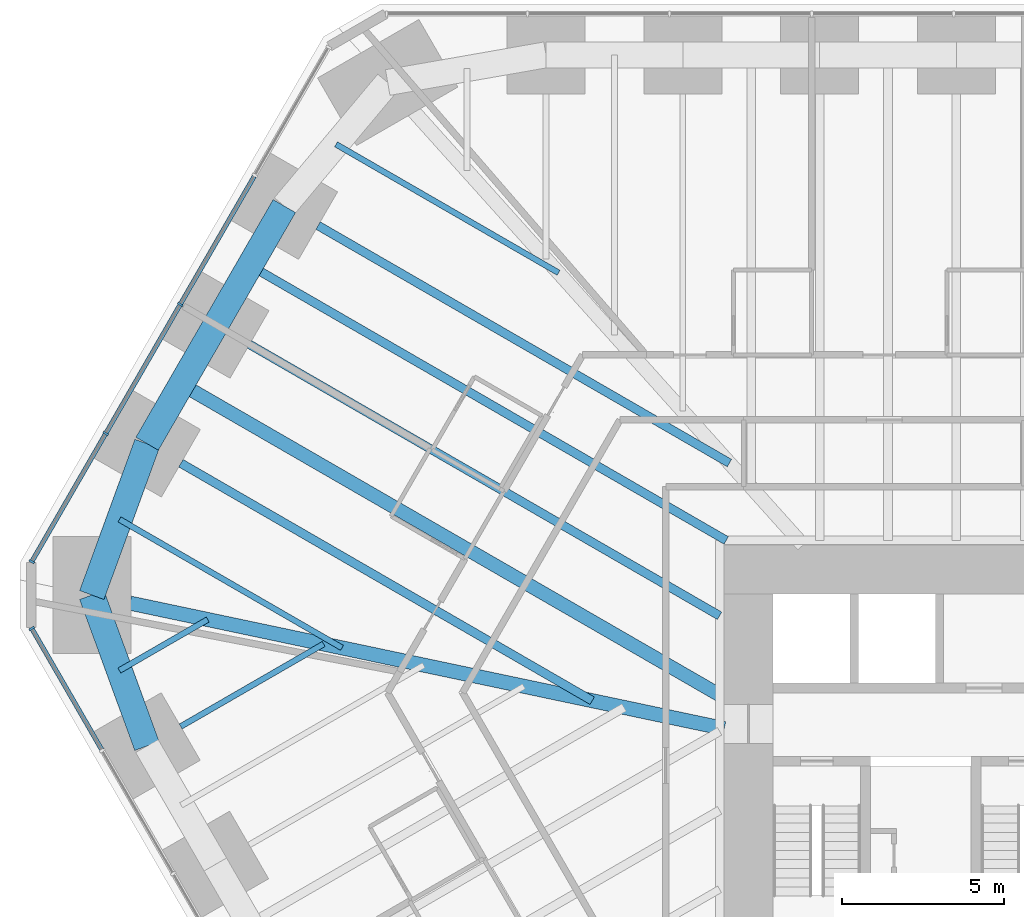
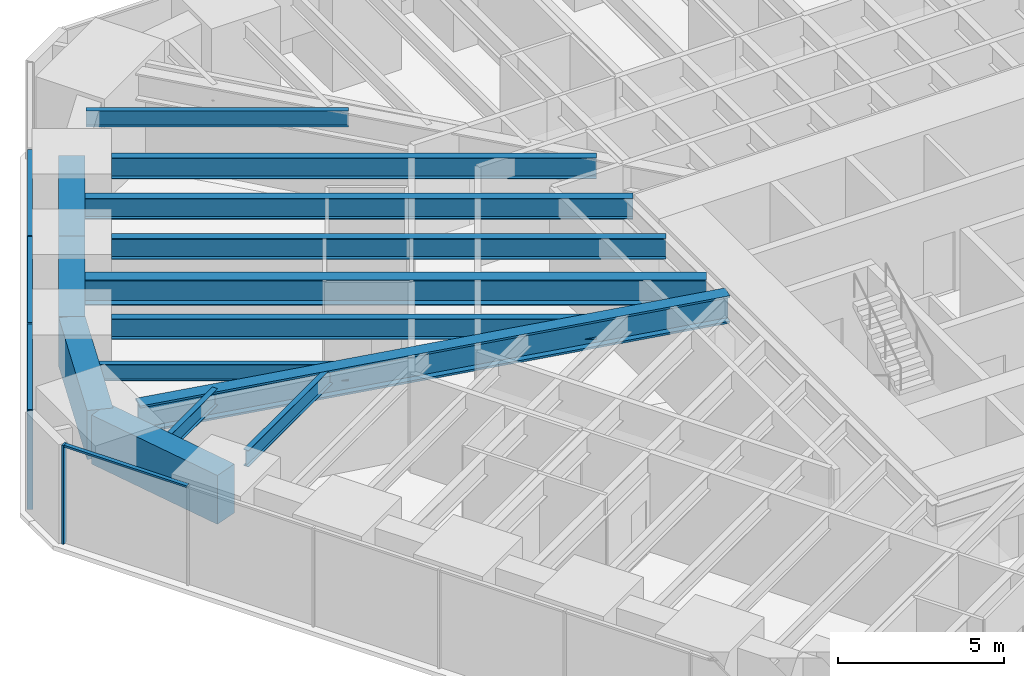
# One storey, part 7 of 17: 14 beams, 8 members, 2 elements without a shape of their own.
"""IFC4 building model written with IfcOpenShell, lengths in metres."""

from ifc_helpers import new_model, si_unit, direction, frame, origin, origin_2d, place, context, subcontext, project, spatial, rectangle, i_section, extrude, material, material_profile, profile_set, type_object, element, aggregate, save


model = new_model("IFC4")

# Units and contexts
model_context = context("Model", 3, precision=1e-05, world=origin(), true_north=direction((0.0, 1.0)))
body_context = subcontext(model_context, "Body", "Model", "MODEL_VIEW")
ifc_project = project(units=[si_unit("LENGTHUNIT", "METRE"), si_unit("AREAUNIT", "SQUARE_METRE"), si_unit("VOLUMEUNIT", "CUBIC_METRE"), si_unit("PLANEANGLEUNIT", "RADIAN"), si_unit("MASSUNIT", "GRAM", prefix="KILO")], contexts=[model_context])

# Site, building, storey
site_placement = place(None, origin())
site = spatial("IfcSite", under=ifc_project, at=site_placement, CompositionType="ELEMENT")
building_placement = place(site_placement, origin())
building = spatial("IfcBuilding", under=site, at=building_placement, Name="Sandreach Pilgrim Tower", CompositionType="ELEMENT")
storey_placement = place(building_placement, frame((0.0, 0.0, 49.60009765625)))
storey = spatial("IfcBuildingStorey", under=building, at=storey_placement, Name="L11", CompositionType="ELEMENT", Elevation=49.60009765625)

# Curtain wall, member
ifc_material_1 = material(Name="Aluminium framed curtain wall", Category="aluminium")
curtain_wall_type = type_object("IfcCurtainWallType", Name="Hostel tower curtain wall", PredefinedType="NOTDEFINED", material=ifc_material_1)
curtain_wall_1_placement = place(storey_placement, origin())
curtain_wall_1 = element("IfcCurtainWall", 1, at=curtain_wall_1_placement, inside=storey, type_object=curtain_wall_type, Name="CW-1 L11 SW", PredefinedType="NOTDEFINED")
ifc_material_2 = material(Name="Aluminium extrusion", Category="aluminium")
ifc_material_profile_1 = material_profile(ifc_material_2, rectangle(XDim=0.06494140625, YDim=0.179931640625, at=origin_2d()), Name="CW-1M 65X180")
ifc_profile_set_1 = profile_set([ifc_material_profile_1], Name="Aluminium extrusion")
member_type_1 = type_object("IfcMemberType", Name="CW-1 mullion", PredefinedType="MULLION", material=ifc_profile_set_1)
member_1_placement = place(storey_placement, frame((-30.56005859375, 5.033935546875, 0.0), z_axis=(0.0, 0.0, 1.0), x_axis=(-0.5, 0.866025403784, 0.0)))
member_1 = element("IfcMember", 2, at=member_1_placement, type_object=member_type_1, Name="CW-1 mullion 10", PredefinedType="MULLION", context=body_context, shape_type="SweptSolid", body=[
    extrude(rectangle(XDim=0.06494140625, YDim=0.179931640625, at=origin_2d()), origin(), (0.0, 0.0, 1.0), 3.639892578125),
])

# Curtain wall, members
curtain_wall_2_placement = place(storey_placement, origin())
curtain_wall_2 = element("IfcCurtainWall", 3, at=curtain_wall_2_placement, inside=storey, type_object=curtain_wall_type, Name="CW-1 L11 NW", PredefinedType="NOTDEFINED")
member_2_placement = place(storey_placement, frame((-30.56005859375, 7.09033203125, 0.0), z_axis=(0.0, 0.0, 1.0), x_axis=(0.5, 0.866025403784, 0.0)))
member_2 = element("IfcMember", 4, at=member_2_placement, type_object=member_type_1, Name="CW-1 mullion 1", PredefinedType="MULLION", context=body_context, shape_type="SweptSolid", body=[
    extrude(rectangle(XDim=0.06494140625, YDim=0.179931640625, at=origin_2d()), origin(), (0.0, 0.0, 1.0), 3.639892578125),
])
member_3_placement = place(storey_placement, frame((-28.283203125, 11.03369140625, 0.0), z_axis=(0.0, 0.0, 1.0), x_axis=(0.5, 0.866025403784, 0.0)))
member_3 = element("IfcMember", 5, at=member_3_placement, type_object=member_type_1, Name="CW-1 mullion 2", PredefinedType="MULLION", context=body_context, shape_type="SweptSolid", body=[
    extrude(rectangle(XDim=0.06494140625, YDim=0.179931640625, at=origin_2d()), origin(), (0.0, 0.0, 1.0), 3.639892578125),
])
member_4_placement = place(storey_placement, frame((-25.990234375, 15.00537109375, 0.0), z_axis=(0.0, 0.0, 1.0), x_axis=(0.5, 0.866025403784, 0.0)))
member_4 = element("IfcMember", 6, at=member_4_placement, type_object=member_type_1, Name="CW-1 mullion 3", PredefinedType="MULLION", context=body_context, shape_type="SweptSolid", body=[
    extrude(rectangle(XDim=0.06494140625, YDim=0.179931640625, at=origin_2d()), origin(), (0.0, 0.0, 1.0), 3.639892578125),
])

# Member
ifc_material_3 = material(Name="Aluminium extrusion", Category="aluminium")
ifc_material_profile_2 = material_profile(ifc_material_3, rectangle(XDim=0.139892578125, YDim=0.070068359375, at=origin_2d()), Name="CW-1T 140X70")
ifc_profile_set_2 = profile_set([ifc_material_profile_2], Name="Aluminium extrusion")
member_type_2 = type_object("IfcMemberType", Name="CW-1 transom", PredefinedType="USERDEFINED", material=ifc_profile_set_2)
member_5_placement = place(storey_placement, frame((-28.40673828125, 1.304443359375, 3.60498046875), z_axis=(-0.499991113271, 0.866030534479, 0.0), x_axis=(-0.866030534479, -0.499991113271, 0.0)))
member_5 = element("IfcMember", 7, at=member_5_placement, type_object=member_type_2, Name="CW-1 head transom 9", ObjectType="TRANSOM", PredefinedType="USERDEFINED", context=body_context, shape_type="SweptSolid", body=[
    extrude(rectangle(XDim=0.139892578125, YDim=0.070068359375, at=origin_2d()), origin(), (0.0, 0.0, 1.0), 4.27392578125),
])

aggregate(curtain_wall_1, [member_1, member_5])

member_6_placement = place(storey_placement, frame((-30.543701171875, 7.118408203125, 3.60498046875), z_axis=(0.499976706761, 0.866038851724, 0.0), x_axis=(-0.866038851724, 0.499976706761, 0.0)))
member_6 = element("IfcMember", 8, at=member_6_placement, type_object=member_type_2, Name="CW-1 head transom 1", ObjectType="TRANSOM", PredefinedType="USERDEFINED", context=body_context, shape_type="SweptSolid", body=[
    extrude(rectangle(XDim=0.139892578125, YDim=0.070068359375, at=origin_2d()), origin(), (0.0, 0.0, 1.0), 4.488525390625),
])

member_7_placement = place(storey_placement, frame((-28.266845703125, 11.06201171875, 3.60498046875), z_axis=(0.500001366228, 0.866024614991, 0.0), x_axis=(-0.866024614991, 0.500001366228, 0.0)))
member_7 = element("IfcMember", 9, at=member_7_placement, type_object=member_type_2, Name="CW-1 head transom 2", ObjectType="TRANSOM", PredefinedType="USERDEFINED", context=body_context, shape_type="SweptSolid", body=[
    extrude(rectangle(XDim=0.139892578125, YDim=0.070068359375, at=origin_2d()), origin(), (0.0, 0.0, 1.0), 4.52099609375),
])

member_8_placement = place(storey_placement, frame((-25.973876953125, 15.03369140625, 3.60498046875), z_axis=(0.500001366228, 0.866024614991, 0.0), x_axis=(-0.866024614991, 0.500001366228, 0.0)))
member_8 = element("IfcMember", 10, at=member_8_placement, type_object=member_type_2, Name="CW-1 head transom 3", ObjectType="TRANSOM", PredefinedType="USERDEFINED", context=body_context, shape_type="SweptSolid", body=[
    extrude(rectangle(XDim=0.139892578125, YDim=0.070068359375, at=origin_2d()), origin(), (0.0, 0.0, 1.0), 4.52099609375),
])

aggregate(curtain_wall_2, [member_2, member_3, member_4, member_6, member_7, member_8])

# Beams
ifc_material_4 = material(Name="Steel ASTM A992 Grade 50", Category="steel")
ifc_material_profile_3 = material_profile(ifc_material_4, i_section(OverallWidth=0.436767578125, OverallDepth=1.010986328125, WebThickness=0.040771484375, FlangeThickness=0.073974609375, at=origin_2d()), Name="W36X529")
ifc_profile_set_3 = profile_set([ifc_material_profile_3], Name="Steel ASTM A992 Grade 50")
beam_type_1 = type_object("IfcBeamType", Name="Corner girder W36X529", PredefinedType="BEAM", material=ifc_profile_set_3)
beam_1_placement = place(storey_placement, frame((-27.53857421875, 5.814208984375, 3.134521484375), z_axis=(0.978429884383, -0.206579189045, 0.0), x_axis=(0.206579189045, 0.978429884383, 0.0)))
element("IfcBeam", 11, at=beam_1_placement, inside=storey, type_object=beam_type_1, Name="BM L11 CG35", PredefinedType="BEAM", context=body_context, shape_type="SweptSolid", body=[
    extrude(i_section(OverallWidth=0.436767578125, OverallDepth=1.010986328125, WebThickness=0.040771484375, FlangeThickness=0.073974609375, at=origin_2d()), origin(), (0.0, 0.0, 1.0), 18.691650390625),
])
ifc_material_5 = material(Name="Steel ASTM A992 Grade 50", Category="steel")
ifc_material_profile_4 = material_profile(ifc_material_5, i_section(OverallWidth=0.1787109375, OverallDepth=0.60205078125, WebThickness=0.010986328125, FlangeThickness=0.014892578125, at=origin_2d()), Name="W24X62")
ifc_profile_set_4 = profile_set([ifc_material_profile_4], Name="Steel ASTM A992 Grade 50")
beam_type_2 = type_object("IfcBeamType", Name="Floor beam W24X62", PredefinedType="BEAM", material=ifc_profile_set_4)
beam_2_placement = place(storey_placement, frame((-25.97705078125, 2.016357421875, 3.3388671875), z_axis=(0.866027897259, 0.49999568115, 0.0), x_axis=(-0.49999568115, 0.866027897259, 0.0)))
element("IfcBeam", 12, at=beam_2_placement, inside=storey, type_object=beam_type_2, Name="BM L11 F34", PredefinedType="BEAM", context=body_context, shape_type="SweptSolid", body=[
    extrude(i_section(OverallWidth=0.1787109375, OverallDepth=0.60205078125, WebThickness=0.010986328125, FlangeThickness=0.014892578125, at=origin_2d()), origin(), (0.0, 0.0, 1.0), 5.0791015625),
])
beam_3_placement = place(storey_placement, frame((-27.864501953125, 3.7392578125, 3.3388671875), z_axis=(0.866023718453, 0.500002919068, 0.0), x_axis=(-0.500002919068, 0.866023718453, 0.0)))
element("IfcBeam", 13, at=beam_3_placement, inside=storey, type_object=beam_type_2, Name="BM L11 FM34", PredefinedType="BEAM", context=body_context, shape_type="SweptSolid", body=[
    extrude(i_section(OverallWidth=0.1787109375, OverallDepth=0.60205078125, WebThickness=0.010986328125, FlangeThickness=0.014892578125, at=origin_2d()), origin(), (0.0, 0.0, 1.0), 3.1396484375),
])
for number, where, z_axis, x_axis, name in (
    (14, (-27.861328125, 8.390380859375, 3.3388671875), (0.866028778003, -0.499994155636, 0.0), (0.499994155636, 0.866028778003, 0.0), "BM L11 FM35"),
    (15, (-21.197021484375, 19.933349609375, 3.3388671875), (0.866028778003, -0.499994155636, 0.0), (0.499994155636, 0.866028778003, 0.0), "BM L11 FM38"),
):
    element("IfcBeam", number, at=place(storey_placement, frame(where, z_axis=z_axis, x_axis=x_axis)), inside=storey, type_object=beam_type_2, Name=name, PredefinedType="BEAM", context=body_context, shape_type="SweptSolid", body=[
        extrude(i_section(OverallWidth=0.1787109375, OverallDepth=0.60205078125, WebThickness=0.010986328125, FlangeThickness=0.014892578125, at=origin_2d()), origin(), (0.0, 0.0, 1.0), 7.90771484375),
    ])
ifc_material_6 = material(Name="Steel ASTM A992 Grade 50", Category="steel")
ifc_material_profile_5 = material_profile(ifc_material_6, i_section(OverallWidth=0.2666015625, OverallDepth=0.761962890625, WebThickness=0.014404296875, FlangeThickness=0.021484375, at=origin_2d()), Name="W30X116")
ifc_profile_set_5 = profile_set([ifc_material_profile_5], Name="Steel ASTM A992 Grade 50")
beam_type_3 = type_object("IfcBeamType", Name="Floor beam W30X116", PredefinedType="BEAM", material=ifc_profile_set_5)
for number, where, z_axis, x_axis, name in (
    (16, (-25.970947265625, 10.118896484375, 3.2587890625), (0.866020355572, -0.500008743658, 0.0), (0.500008743658, 0.866020355572, 0.0), "BM L11 F36"),
    (17, (-21.74853515625, 17.43212890625, 3.2587890625), (0.866020355572, -0.500008743658, 0.0), (0.500008743658, 0.866020355572, 0.0), "BM L11 F38"),
):
    element("IfcBeam", number, at=place(storey_placement, frame(where, z_axis=z_axis, x_axis=x_axis)), inside=storey, type_object=beam_type_3, Name=name, PredefinedType="BEAM", context=body_context, shape_type="SweptSolid", body=[
        extrude(i_section(OverallWidth=0.2666015625, OverallDepth=0.761962890625, WebThickness=0.014404296875, FlangeThickness=0.021484375, at=origin_2d()), origin(), (0.0, 0.0, 1.0), 14.615966796875),
    ])
ifc_material_7 = material(Name="Steel ASTM A992 Grade 50", Category="steel")
ifc_material_profile_6 = material_profile(ifc_material_7, i_section(OverallWidth=0.2666015625, OverallDepth=0.77978515625, WebThickness=0.0166015625, FlangeThickness=0.030029296875, at=origin_2d()), Name="W30X148")
ifc_profile_set_6 = profile_set([ifc_material_profile_6], Name="Steel ASTM A992 Grade 50")
beam_type_4 = type_object("IfcBeamType", Name="Floor beam W30X148", PredefinedType="BEAM", material=ifc_profile_set_6)
beam_4_placement = place(storey_placement, frame((-23.85986328125, 13.775390625, 3.25), z_axis=(0.866031037473, -0.499990242038, 0.0), x_axis=(0.499990242038, 0.866031037473, 0.0)))
element("IfcBeam", 18, at=beam_4_placement, inside=storey, type_object=beam_type_4, Name="BM L11 F37", PredefinedType="BEAM", context=body_context, shape_type="SweptSolid", body=[
    extrude(i_section(OverallWidth=0.2666015625, OverallDepth=0.77978515625, WebThickness=0.0166015625, FlangeThickness=0.030029296875, at=origin_2d()), origin(), (0.0, 0.0, 1.0), 16.704345703125),
])
beam_5_placement = place(storey_placement, frame((-23.843505859375, 16.203857421875, 3.25), z_axis=(0.866027248123, -0.499996805499, 0.0), x_axis=(0.499996805499, 0.866027248123, 0.0)))
element("IfcBeam", 19, at=beam_5_placement, inside=storey, type_object=beam_type_4, Name="BM L11 FM37", PredefinedType="BEAM", context=body_context, shape_type="SweptSolid", body=[
    extrude(i_section(OverallWidth=0.2666015625, OverallDepth=0.77978515625, WebThickness=0.0166015625, FlangeThickness=0.030029296875, at=origin_2d()), origin(), (0.0, 0.0, 1.0), 16.9208984375),
])
ifc_material_8 = material(Name="Steel ASTM A992 Grade 50", Category="steel")
ifc_material_profile_7 = material_profile(ifc_material_8, i_section(OverallWidth=0.419189453125, OverallDepth=0.927001953125, WebThickness=0.019287109375, FlangeThickness=0.031982421875, at=origin_2d()), Name="W36X231")
ifc_profile_set_7 = profile_set([ifc_material_profile_7], Name="Steel ASTM A992 Grade 50")
beam_type_5 = type_object("IfcBeamType", Name="Floor beam W36X231", PredefinedType="BEAM", material=ifc_profile_set_7)
beam_6_placement = place(storey_placement, frame((-25.95458984375, 12.547119140625, 3.17626953125), z_axis=(0.866028474707, -0.499994680968, 0.0), x_axis=(0.499994680968, 0.866028474707, 0.0)))
element("IfcBeam", 20, at=beam_6_placement, inside=storey, type_object=beam_type_5, Name="BM L11 FM36", PredefinedType="BEAM", context=body_context, shape_type="SweptSolid", body=[
    extrude(i_section(OverallWidth=0.419189453125, OverallDepth=0.927001953125, WebThickness=0.019287109375, FlangeThickness=0.031982421875, at=origin_2d()), origin(), (0.0, 0.0, 1.0), 19.123291015625),
])
ifc_material_9 = material(Name="Concrete 10000 psi", Category="concrete")
ifc_material_profile_8 = material_profile(ifc_material_9, rectangle(XDim=0.800048828125, YDim=1.800048828125, at=origin_2d()), Name="RC800X1800")
ifc_profile_set_8 = profile_set([ifc_material_profile_8], Name="Concrete 10000 psi")
beam_type_6 = type_object("IfcBeamType", Name="Spandrel beam RC800X1800", PredefinedType="SPANDREL", material=ifc_profile_set_8)
beam_7_placement = place(storey_placement, frame((-27.016357421875, 1.416259765625, 2.739990234375), z_axis=(-0.342963480301, 0.939348737786, 0.0), x_axis=(-0.939348737786, -0.342963480301, 0.0)))
element("IfcBeam", 21, at=beam_7_placement, inside=storey, type_object=beam_type_6, Name="BM L11 SP34", PredefinedType="SPANDREL", context=body_context, shape_type="SweptSolid", body=[
    extrude(rectangle(XDim=0.800048828125, YDim=1.800048828125, at=origin_2d()), origin(), (0.0, 0.0, 1.0), 4.946044921875),
])
beam_8_placement = place(storey_placement, frame((-28.712646484375, 6.062255859375, 2.739990234375), z_axis=(0.343367552823, 0.939201109278, 0.0), x_axis=(-0.939201109278, 0.343367552823, 0.0)))
element("IfcBeam", 22, at=beam_8_placement, inside=storey, type_object=beam_type_6, Name="BM L11 SP35", PredefinedType="SPANDREL", context=body_context, shape_type="SweptSolid", body=[
    extrude(rectangle(XDim=0.800048828125, YDim=1.800048828125, at=origin_2d()), origin(), (0.0, 0.0, 1.0), 4.9580078125),
])
beam_9_placement = place(storey_placement, frame((-27.01025390625, 10.71875, 2.739990234375), z_axis=(0.500019412692, 0.866014195571, 0.0), x_axis=(-0.866014195571, 0.500019412692, 0.0)))
element("IfcBeam", 23, at=beam_9_placement, inside=storey, type_object=beam_type_6, Name="BM L11 SP36", PredefinedType="SPANDREL", context=body_context, shape_type="SweptSolid", body=[
    extrude(rectangle(XDim=0.800048828125, YDim=1.800048828125, at=origin_2d()), origin(), (0.0, 0.0, 1.0), 4.222412109375),
])
beam_10_placement = place(storey_placement, frame((-24.89892578125, 14.37548828125, 2.739990234375), z_axis=(0.500001084989, 0.866024777365, 0.0), x_axis=(-0.866024777365, 0.500001084989, 0.0)))
element("IfcBeam", 24, at=beam_10_placement, inside=storey, type_object=beam_type_6, Name="BM L11 SP37", PredefinedType="SPANDREL", context=body_context, shape_type="SweptSolid", body=[
    extrude(rectangle(XDim=0.800048828125, YDim=1.800048828125, at=origin_2d()), origin(), (0.0, 0.0, 1.0), 4.22216796875),
])

save(model, "model.ifc")
